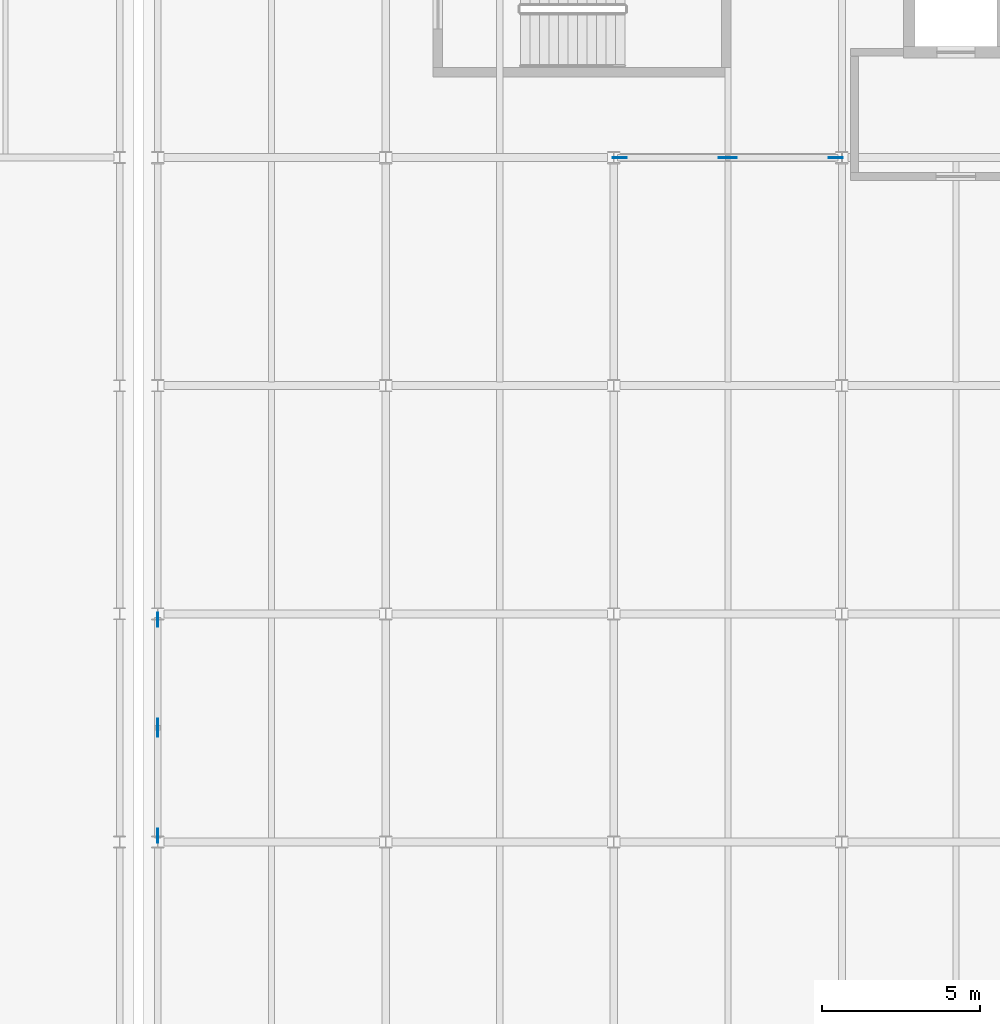
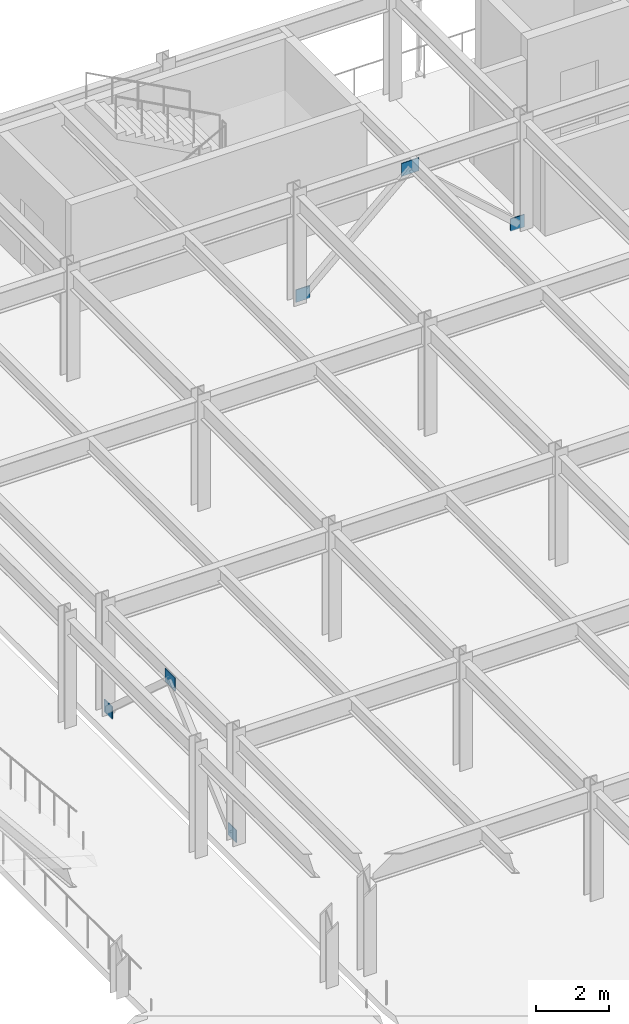
# One storey, part 60 of 93: 6 plates.
"""IFC4 building model written with IfcOpenShell, lengths in metres."""

from ifc_helpers import new_model, si_unit, direction, frame, origin, origin_2d, place, context, subcontext, project, spatial, rectangle, extrude, material, layer, layer_set, type_object, element, save


model = new_model("IFC4")

# Units and contexts
model_context = context("Model", 3, precision=1e-05, world=origin(), true_north=direction((0.0, 1.0)))
body_context = subcontext(model_context, "Body", "Model", "MODEL_VIEW")
ifc_project = project(units=[si_unit("LENGTHUNIT", "METRE"), si_unit("AREAUNIT", "SQUARE_METRE"), si_unit("VOLUMEUNIT", "CUBIC_METRE"), si_unit("PLANEANGLEUNIT", "RADIAN"), si_unit("MASSUNIT", "GRAM", prefix="KILO")], contexts=[model_context])

# Site, building, storey
site_placement = place(None, origin())
site = spatial("IfcSite", under=ifc_project, at=site_placement, CompositionType="ELEMENT")
building_placement = place(site_placement, origin())
building = spatial("IfcBuilding", under=site, at=building_placement, Name="Vaelcorin Mobility Hub", CompositionType="ELEMENT")
storey_placement = place(building_placement, frame((0.0, 0.0, 5.39990234375)))
storey = spatial("IfcBuildingStorey", under=building, at=storey_placement, Name="L01", CompositionType="ELEMENT", Elevation=5.39990234375)

# Plates
ifc_material = material(Name="Steel ASTM A572 Grade 50", Category="steel")
ifc_layer = layer(ifc_material, 0.030029296875)
ifc_layer_set = layer_set([ifc_layer], Name="Steel ASTM A572 Grade 50")
plate_type = type_object("IfcPlateType", Name="PL-GN2", PredefinedType="USERDEFINED", material=ifc_layer_set)
for number, where, z_axis, x_axis, name in (
    (1, (50.590087890625, 112.800048828125, -0.02978515625), (0.0, 0.0, 1.0), (1.0, 0.0, 0.0), "SCBF Gusset Plate GN2 V4-BX1-L01-A"),
    (2, (57.409912109375, 112.800048828125, -0.02978515625), (0.0, 0.0, 1.0), (1.0, 0.0, 0.0), "SCBF Gusset Plate GN2 V4-BX1-L01-B"),
):
    element("IfcPlate", number, at=place(storey_placement, frame(where, z_axis=z_axis, x_axis=x_axis)), inside=storey, type_object=plate_type, Name=name, ObjectType="GUSSET PLATE", PredefinedType="USERDEFINED", context=body_context, shape_type="SweptSolid", body=[
        extrude(rectangle(XDim=0.43994140625, YDim=0.030029296875, at=origin_2d()), origin(), (0.0, 0.0, 1.0), 0.419921875),
    ])
plate_1_placement = place(storey_placement, frame((54.0, 112.800048828125, 3.030029296875), z_axis=(0.0, 0.0, 1.0), x_axis=(1.0, 0.0, 0.0)))
element("IfcPlate", 3, at=plate_1_placement, inside=storey, type_object=plate_type, Name="SCBF Apex Gusset GN2 V4-BX1-L01", ObjectType="GUSSET PLATE", PredefinedType="USERDEFINED", context=body_context, shape_type="SweptSolid", body=[
    extrude(rectangle(XDim=0.56005859375, YDim=0.030029296875, at=origin_2d()), origin(), (0.0, 0.0, 1.0), 0.43994140625),
])
for number, where, z_axis, x_axis, name in (
    (4, (36.0, 91.389892578125, -0.02978515625), (0.0, 0.0, 1.0), (0.0, 1.0, 0.0), "SCBF Gusset Plate GN2 V4-BY1-L01-A"),
    (5, (36.0, 98.2099609375, -0.02978515625), (0.0, 0.0, 1.0), (0.0, 1.0, 0.0), "SCBF Gusset Plate GN2 V4-BY1-L01-B"),
):
    element("IfcPlate", number, at=place(storey_placement, frame(where, z_axis=z_axis, x_axis=x_axis)), inside=storey, type_object=plate_type, Name=name, ObjectType="GUSSET PLATE", PredefinedType="USERDEFINED", context=body_context, shape_type="SweptSolid", body=[
        extrude(rectangle(XDim=0.43994140625, YDim=0.030029296875, at=origin_2d()), origin(), (0.0, 0.0, 1.0), 0.419921875),
    ])
plate_2_placement = place(storey_placement, frame((36.0, 94.800048828125, 3.030029296875), z_axis=(0.0, 0.0, 1.0), x_axis=(0.0, 1.0, 0.0)))
element("IfcPlate", 6, at=plate_2_placement, inside=storey, type_object=plate_type, Name="SCBF Apex Gusset GN2 V4-BY1-L01", ObjectType="GUSSET PLATE", PredefinedType="USERDEFINED", context=body_context, shape_type="SweptSolid", body=[
    extrude(rectangle(XDim=0.56005859375, YDim=0.030029296875, at=origin_2d()), origin(), (0.0, 0.0, 1.0), 0.43994140625),
])

save(model, "model.ifc")
